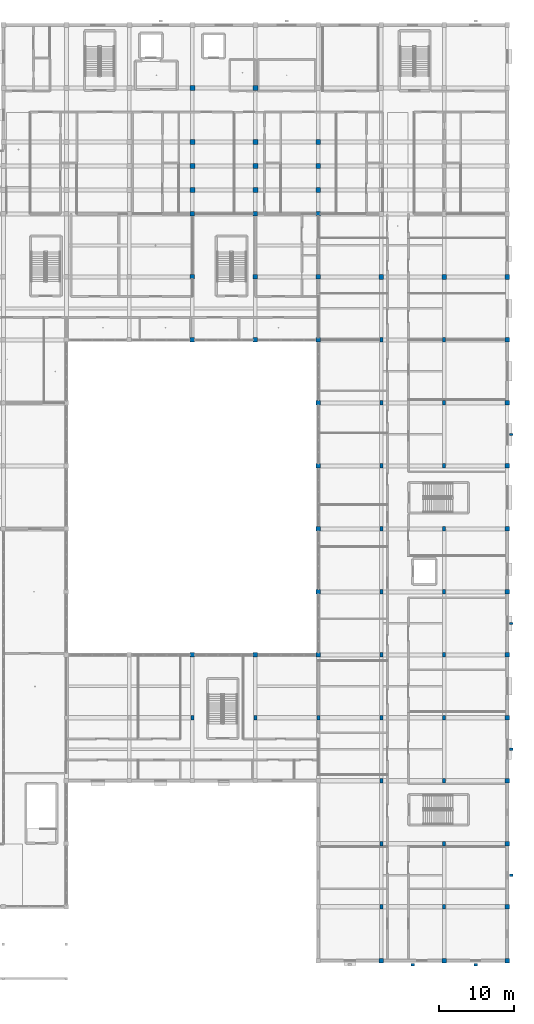
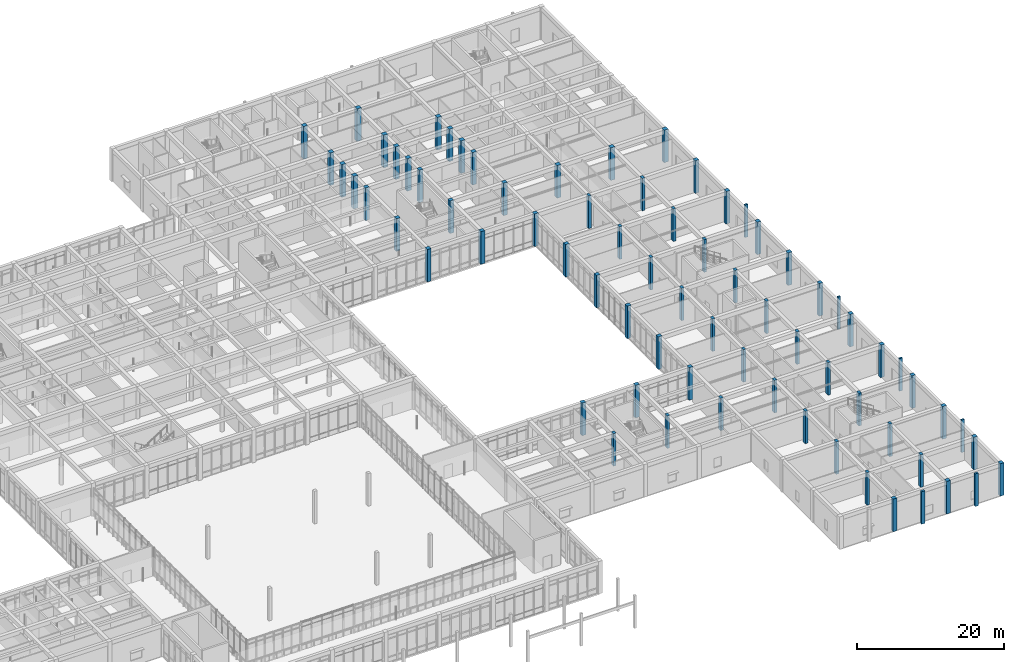
# One storey, part 5 of 157: 72 columns.
"""IFC4 building model written with IfcOpenShell, lengths in metres."""

import ifcopenshell
import ifcopenshell.guid

model = None  # the IFC model being written
_history = None  # IfcOwnerHistory: only IFC2X3 demands one
_inside = {}  # id of a spatial element -> (the spatial element, [elements in it])
_under = {}  # id of a project, library or spatial element -> (it, [spatial elements below it])
_declared = {}  # id of a project -> (the project, [libraries it declares])
_typed = {}  # id of a type object -> (the type object, [elements of that type])
_made_of = {}  # id of a material, layer set ... -> (it, [elements and type objects made of it])


def new_model(schema):
    """Start an empty IFC model of exactly this schema.

    Asked for "IFC4X3", IfcOpenShell would pick the latest addendum, in which some entities
    have other attributes; the version numbers below select the first issue.
    IFC2X3 requires an IfcOwnerHistory on every rooted entity: one is made here for all.
    """
    global model, _history
    if schema == "IFC4X3":
        model = ifcopenshell.file(schema_version=(4, 3, 0, 0))
    else:
        model = ifcopenshell.file(schema=schema)
    _inside.clear()
    _under.clear()
    _declared.clear()
    _typed.clear()
    _made_of.clear()
    _history = None
    if model.schema == "IFC2X3":
        org = make("IfcOrganization", Name="unknown")
        user = make(
            "IfcPersonAndOrganization",
            ThePerson=make("IfcPerson", FamilyName="unknown"),
            TheOrganization=org,
        )
        app = make(
            "IfcApplication",
            ApplicationDeveloper=org,
            Version="unknown",
            ApplicationFullName="unknown",
            ApplicationIdentifier="unknown",
        )
        _history = make(
            "IfcOwnerHistory",
            OwningUser=user,
            OwningApplication=app,
            ChangeAction="ADDED",
            CreationDate=0,
        )
    return model


def make(cls, **values):
    """One entity of the class cls with the attributes given. An attribute that is None is left unset."""
    return model.create_entity(
        cls, **{name: value for name, value in values.items() if value is not None}
    )


def rooted(cls, **values):
    """An entity with a GlobalId (a new one), such as an element, a storey or a relation."""
    return make(cls, GlobalId=ifcopenshell.guid.new(), OwnerHistory=_history, **values)


def si_unit(unit_type, name, prefix=None):
    """IfcSIUnit, for example si_unit("LENGTHUNIT", "METRE", prefix="MILLI")."""
    return make("IfcSIUnit", UnitType=unit_type, Prefix=prefix, Name=name)


def assignment(units):
    """IfcUnitAssignment: the units of a project."""
    return None if units is None else make("IfcUnitAssignment", Units=units)


def point(xyz):
    """IfcCartesianPoint."""
    return None if xyz is None else make("IfcCartesianPoint", Coordinates=xyz)


def direction(xyz):
    """IfcDirection."""
    return None if xyz is None else make("IfcDirection", DirectionRatios=xyz)


def frame(location, z_axis=None, x_axis=None):
    """IfcAxis2Placement3D, a coordinate frame: its origin and axes. An axis left out is left unset."""
    return make(
        "IfcAxis2Placement3D",
        Location=point(location),
        Axis=direction(z_axis),
        RefDirection=direction(x_axis),
    )


def frame_2d(location, x_axis=None):
    """IfcAxis2Placement2D, a coordinate frame in the plane: its origin and x axis."""
    return make(
        "IfcAxis2Placement2D", Location=point(location), RefDirection=direction(x_axis)
    )


def origin():
    """The frame at (0, 0, 0) with its axes left unset."""
    return frame((0.0, 0.0, 0.0))


def origin_2d():
    """The frame at (0, 0) in the plane with its x axis left unset."""
    return frame_2d((0.0, 0.0))


def place(relative_to, where):
    """IfcLocalPlacement: puts the frame where relative to a parent placement (None: the world)."""
    return make(
        "IfcLocalPlacement", PlacementRelTo=relative_to, RelativePlacement=where
    )


def context(
    kind, dimensions, precision=None, world=None, true_north=None, identifier=None
):
    """IfcGeometricRepresentationContext, for example the 3D "Model" context."""
    return make(
        "IfcGeometricRepresentationContext",
        ContextIdentifier=identifier,
        ContextType=kind,
        CoordinateSpaceDimension=dimensions,
        Precision=precision,
        WorldCoordinateSystem=world,
        TrueNorth=true_north,
    )


def subcontext(parent, identifier, kind, view, scale=None):
    """IfcGeometricRepresentationSubContext, for example "Body" below "Model"."""
    return make(
        "IfcGeometricRepresentationSubContext",
        ContextIdentifier=identifier,
        ContextType=kind,
        ParentContext=parent,
        TargetScale=scale,
        TargetView=view,
    )


def project(units=None, contexts=None):
    """IfcProject with its units and contexts."""
    return rooted(
        "IfcProject",
        Name="project",
        RepresentationContexts=contexts,
        UnitsInContext=assignment(units),
    )


def spatial(cls, under=None, at=None, **own):
    """A site, building, storey or space (cls), placed at a placement, below another one or the project."""
    s = rooted(cls, ObjectPlacement=at, **own)
    if under is not None:
        _under.setdefault(under.id(), (under, []))[1].append(s)
    return s


def profile(cls, at=None, kind="AREA", **sizes):
    """A parametric profile (cls). Its sizes go by their IFC names, for example OverallWidth=200.0."""
    return make(cls, ProfileType=kind, Position=at, **sizes)


def rectangle(**sizes):
    """IfcRectangleProfileDef."""
    return profile("IfcRectangleProfileDef", **sizes)


def extrude(swept, where, along, depth):
    """IfcExtrudedAreaSolid: the profile swept, set in the frame where, extruded along a direction by depth."""
    return make(
        "IfcExtrudedAreaSolid",
        SweptArea=swept,
        Position=where,
        ExtrudedDirection=direction(along),
        Depth=depth,
    )


def shape(context_of_items, identifier, shape_type, items):
    """IfcShapeRepresentation: the items that make up one representation, for example the "Body"."""
    return make(
        "IfcShapeRepresentation",
        ContextOfItems=context_of_items,
        RepresentationIdentifier=identifier,
        RepresentationType=shape_type,
        Items=items,
    )


def material(Name=None, Category=None):
    """IfcMaterial."""
    return make("IfcMaterial", Name=Name, Category=Category)


def material_profile(
    of_material, cross_section, Name=None, Category=None, Priority=None
):
    """IfcMaterialProfile: a cross section and its material."""
    return make(
        "IfcMaterialProfile",
        Name=Name,
        Material=of_material,
        Profile=cross_section,
        Priority=Priority,
        Category=Category,
    )


def profile_set(profiles, Name=None, composite=None):
    """IfcMaterialProfileSet."""
    return make(
        "IfcMaterialProfileSet",
        Name=Name,
        MaterialProfiles=profiles,
        CompositeProfile=composite,
    )


def made_of(thing, what):
    """Note that an element or type object is made of a material, layer set ...; save() writes the relation."""
    if what is not None:
        _made_of.setdefault(what.id(), (what, []))[1].append(thing)
    return thing


def type_object(cls, material=None, **own):
    """A type object (cls), such as IfcWallType, which elements share."""
    return made_of(rooted(cls, **own), material)


def element(
    cls,
    number,
    at=None,
    inside=None,
    cuts=None,
    type_object=None,
    material=None,
    context=None,
    identifier="Body",
    shape_type=None,
    held_by="IfcProductDefinitionShape",
    body=None,
    shapes=None,
    **own,
):
    """One element of the class cls, such as IfcWall. Its Tag is "e" and its number.

    at: its placement. inside: the storey or other place that contains it. cuts: it is an
    opening in that element (IfcRelVoidsElement). A single representation is given by context,
    identifier, shape_type and body (its items); several are given by shapes. held_by: the class
    of the entity that holds the representations. save() writes the other relations.
    """
    e = rooted(cls, Tag="e%d" % number, ObjectPlacement=at, **own)
    if body is not None:
        shapes = [shape(context, identifier, shape_type, body)]
    if shapes is not None:
        e.Representation = make(held_by, Representations=shapes)
    if inside is not None:
        _inside.setdefault(inside.id(), (inside, []))[1].append(e)
    if cuts is not None:
        rooted(
            "IfcRelVoidsElement", RelatingBuildingElement=cuts, RelatedOpeningElement=e
        )
    if type_object is not None:
        _typed.setdefault(type_object.id(), (type_object, []))[1].append(e)
    return made_of(e, material)


def aggregate(whole, parts):
    """IfcRelAggregates: a whole, such as a stair, and the parts it consists of."""
    return rooted("IfcRelAggregates", RelatingObject=whole, RelatedObjects=parts)


def save(model, path):
    """Write the relations noted so far, then the file.

    IfcRelAggregates (storeys below a building ...), IfcRelContainedInSpatialStructure (elements
    in a storey), IfcRelDefinesByType, IfcRelAssociatesMaterial and IfcRelDeclares: one each for
    every whole, place, type object, material and project.
    """
    for whole, parts in _under.values():
        aggregate(whole, parts)
    for where, things in _inside.values():
        rooted(
            "IfcRelContainedInSpatialStructure",
            RelatedElements=things,
            RelatingStructure=where,
        )
    for kind, things in _typed.values():
        rooted("IfcRelDefinesByType", RelatedObjects=things, RelatingType=kind)
    for what, things in _made_of.values():
        rooted("IfcRelAssociatesMaterial", RelatedObjects=things, RelatingMaterial=what)
    for by, libraries in _declared.values():
        rooted("IfcRelDeclares", RelatingContext=by, RelatedDefinitions=libraries)
    model.write(path)


model = new_model("IFC4")

# Units and contexts
model_context = context("Model", 3, precision=1e-05, world=origin(), true_north=direction((0.0, 1.0)))
body_context = subcontext(model_context, "Body", "Model", "MODEL_VIEW")
ifc_project = project(units=[si_unit("LENGTHUNIT", "METRE"), si_unit("AREAUNIT", "SQUARE_METRE"), si_unit("VOLUMEUNIT", "CUBIC_METRE"), si_unit("PLANEANGLEUNIT", "RADIAN"), si_unit("MASSUNIT", "GRAM", prefix="KILO")], contexts=[model_context])

# Site, building, storey
site_placement = place(None, origin())
site = spatial("IfcSite", under=ifc_project, at=site_placement, CompositionType="ELEMENT")
building_placement = place(site_placement, origin())
building = spatial("IfcBuilding", under=site, at=building_placement, Name="Varncliffe General Hospital", CompositionType="ELEMENT")
storey_placement = place(building_placement, frame((0.0, 0.0, 5.39990234375)))
storey = spatial("IfcBuildingStorey", under=building, at=storey_placement, Name="L01", CompositionType="ELEMENT", Elevation=5.39990234375)

# Columns
ifc_material_1 = material(Name="Concrete C40/50 (CSA A23.1 40 MPa)", Category="concrete")
ifc_material_profile_1 = material_profile(ifc_material_1, rectangle(XDim=0.64990234375, YDim=0.64990234375, at=origin_2d()), Name="RC 650x650")
ifc_profile_set_1 = profile_set([ifc_material_profile_1], Name="Concrete C40/50 (CSA A23.1 40 MPa)")
column_type_1 = type_object("IfcColumnType", Name="Column C21 (Ext RC 650x650)", PredefinedType="COLUMN", material=ifc_profile_set_1)
column_placement = place(storey_placement, frame((176.39990234375, 91.199951171875, 0.0), z_axis=(0.0, 0.0, 1.0), x_axis=(1.0, 0.0, 0.0)))
element("IfcColumn", 1, at=column_placement, inside=storey, type_object=column_type_1, Name="L01 Column C21", PredefinedType="COLUMN", context=body_context, shape_type="SweptSolid", body=[
    extrude(rectangle(XDim=0.64990234375, YDim=0.64990234375, at=origin_2d()), origin(), (0.0, 0.0, 1.0), 5.400146484375),
])
ifc_material_profile_2 = material_profile(ifc_material_1, rectangle(XDim=0.60009765625, YDim=0.60009765625, at=origin_2d()), Name="RC 600x600")
ifc_profile_set_2 = profile_set([ifc_material_profile_2], Name="Concrete C40/50 (CSA A23.1 40 MPa)")
column_type_2 = type_object("IfcColumnType", Name="Column C27 (Ext RC 600x600)", PredefinedType="COLUMN", material=ifc_profile_set_2)
for number, where, z_axis, x_axis, name in (
    (2, (134.39990234375, 40.800048828125, 0.0), (0.0, 0.0, 1.0), (1.0, 0.0, 0.0), "L01 Column C27"),
    (3, (134.39990234375, 82.800048828125, 0.0), (0.0, 0.0, 1.0), (1.0, 0.0, 0.0), "L01 Column C27"),
    (4, (142.800048828125, 40.800048828125, 0.0), (0.0, 0.0, 1.0), (1.0, 0.0, 0.0), "L01 Column C27"),
    (5, (142.800048828125, 82.800048828125, 0.0), (0.0, 0.0, 1.0), (1.0, 0.0, 0.0), "L01 Column C27"),
    (6, (151.199951171875, 40.800048828125, 0.0), (0.0, 0.0, 1.0), (1.0, 0.0, 0.0), "L01 Column C27"),
    (7, (151.199951171875, 49.199951171875, 0.0), (0.0, 0.0, 1.0), (1.0, 0.0, 0.0), "L01 Column C27"),
    (8, (151.199951171875, 57.60009765625, 0.0), (0.0, 0.0, 1.0), (1.0, 0.0, 0.0), "L01 Column C27"),
    (9, (151.199951171875, 66.0, 0.0), (0.0, 0.0, 1.0), (1.0, 0.0, 0.0), "L01 Column C27"),
    (10, (151.199951171875, 74.39990234375, 0.0), (0.0, 0.0, 1.0), (1.0, 0.0, 0.0), "L01 Column C27"),
    (11, (151.199951171875, 82.800048828125, 0.0), (0.0, 0.0, 1.0), (1.0, 0.0, 0.0), "L01 Column C27"),
    (12, (159.60009765625, 0.0, 0.0), (0.0, 0.0, 1.0), (1.0, 0.0, 0.0), "L01 Column C27"),
    (13, (168.0, 0.0, 0.0), (0.0, 0.0, 1.0), (1.0, 0.0, 0.0), "L01 Column C27"),
    (14, (176.39990234375, 0.0, 0.0), (0.0, 0.0, 1.0), (1.0, 0.0, 0.0), "L01 Column C27"),
    (15, (176.39990234375, 7.199951171875, 0.0), (0.0, 0.0, 1.0), (1.0, 0.0, 0.0), "L01 Column C27"),
    (16, (176.39990234375, 15.60009765625, 0.0), (0.0, 0.0, 1.0), (1.0, 0.0, 0.0), "L01 Column C27"),
    (17, (176.39990234375, 24.0, 0.0), (0.0, 0.0, 1.0), (1.0, 0.0, 0.0), "L01 Column C27"),
    (18, (176.39990234375, 32.39990234375, 0.0), (0.0, 0.0, 1.0), (1.0, 0.0, 0.0), "L01 Column C27"),
    (19, (176.39990234375, 40.800048828125, 0.0), (0.0, 0.0, 1.0), (1.0, 0.0, 0.0), "L01 Column C27"),
    (20, (176.39990234375, 49.199951171875, 0.0), (0.0, 0.0, 1.0), (1.0, 0.0, 0.0), "L01 Column C27"),
    (21, (176.39990234375, 57.60009765625, 0.0), (0.0, 0.0, 1.0), (1.0, 0.0, 0.0), "L01 Column C27"),
    (22, (176.39990234375, 66.0, 0.0), (0.0, 0.0, 1.0), (1.0, 0.0, 0.0), "L01 Column C27"),
    (23, (176.39990234375, 74.39990234375, 0.0), (0.0, 0.0, 1.0), (1.0, 0.0, 0.0), "L01 Column C27"),
    (24, (176.39990234375, 82.800048828125, 0.0), (0.0, 0.0, 1.0), (1.0, 0.0, 0.0), "L01 Column C27"),
):
    element("IfcColumn", number, at=place(storey_placement, frame(where, z_axis=z_axis, x_axis=x_axis)), inside=storey, type_object=column_type_2, Name=name, PredefinedType="COLUMN", context=body_context, shape_type="SweptSolid", body=[
        extrude(rectangle(XDim=0.60009765625, YDim=0.60009765625, at=origin_2d()), origin(), (0.0, 0.0, 1.0), 5.400146484375),
    ])
ifc_material_profile_3 = material_profile(ifc_material_1, rectangle(XDim=0.64990234375, YDim=0.64990234375, at=origin_2d()), Name="RC 650x650")
ifc_profile_set_3 = profile_set([ifc_material_profile_3], Name="Concrete C40/50 (CSA A23.1 40 MPa)")
column_type_3 = type_object("IfcColumnType", Name="Column C29 (Int RC 650x650)", PredefinedType="COLUMN", material=ifc_profile_set_3)
for number, where, z_axis, x_axis, name in (
    (25, (134.39990234375, 102.800048828125, 0.0), (0.0, 0.0, 1.0), (1.0, 0.0, 0.0), "L01 Column C29"),
    (26, (134.39990234375, 106.0, 0.0), (0.0, 0.0, 1.0), (1.0, 0.0, 0.0), "L01 Column C29"),
    (27, (134.39990234375, 109.199951171875, 0.0), (0.0, 0.0, 1.0), (1.0, 0.0, 0.0), "L01 Column C29"),
    (28, (134.39990234375, 116.39990234375, 0.0), (0.0, 0.0, 1.0), (1.0, 0.0, 0.0), "L01 Column C29"),
    (29, (142.800048828125, 102.800048828125, 0.0), (0.0, 0.0, 1.0), (1.0, 0.0, 0.0), "L01 Column C29"),
    (30, (142.800048828125, 106.0, 0.0), (0.0, 0.0, 1.0), (1.0, 0.0, 0.0), "L01 Column C29"),
    (31, (142.800048828125, 109.199951171875, 0.0), (0.0, 0.0, 1.0), (1.0, 0.0, 0.0), "L01 Column C29"),
    (32, (142.800048828125, 116.39990234375, 0.0), (0.0, 0.0, 1.0), (1.0, 0.0, 0.0), "L01 Column C29"),
    (33, (151.199951171875, 102.800048828125, 0.0), (0.0, 0.0, 1.0), (1.0, 0.0, 0.0), "L01 Column C29"),
    (34, (151.199951171875, 106.0, 0.0), (0.0, 0.0, 1.0), (1.0, 0.0, 0.0), "L01 Column C29"),
    (35, (151.199951171875, 109.199951171875, 0.0), (0.0, 0.0, 1.0), (1.0, 0.0, 0.0), "L01 Column C29"),
    (36, (159.60009765625, 91.199951171875, 0.0), (0.0, 0.0, 1.0), (1.0, 0.0, 0.0), "L01 Column C29"),
    (37, (168.0, 91.199951171875, 0.0), (0.0, 0.0, 1.0), (1.0, 0.0, 0.0), "L01 Column C29"),
):
    element("IfcColumn", number, at=place(storey_placement, frame(where, z_axis=z_axis, x_axis=x_axis)), inside=storey, type_object=column_type_3, Name=name, PredefinedType="COLUMN", context=body_context, shape_type="SweptSolid", body=[
        extrude(rectangle(XDim=0.64990234375, YDim=0.64990234375, at=origin_2d()), origin(), (0.0, 0.0, 1.0), 5.400146484375),
    ])
ifc_material_profile_4 = material_profile(ifc_material_1, rectangle(XDim=0.39990234375, YDim=0.60009765625, at=origin_2d()), Name="RC 400x600")
ifc_profile_set_4 = profile_set([ifc_material_profile_4], Name="Concrete C40/50 (CSA A23.1 40 MPa)")
column_type_4 = type_object("IfcColumnType", Name="Column C58 (Int RC 400x600)", PredefinedType="COLUMN", material=ifc_profile_set_4)
for number, where, z_axis, x_axis, name in (
    (38, (134.39990234375, 32.39990234375, 0.0), (0.0, 0.0, 1.0), (1.0, 0.0, 0.0), "L01 Column C58"),
    (39, (142.800048828125, 32.39990234375, 0.0), (0.0, 0.0, 1.0), (1.0, 0.0, 0.0), "L01 Column C58"),
    (40, (151.199951171875, 32.39990234375, 0.0), (0.0, 0.0, 1.0), (1.0, 0.0, 0.0), "L01 Column C58"),
    (41, (159.60009765625, 7.199951171875, 0.0), (0.0, 0.0, 1.0), (1.0, 0.0, 0.0), "L01 Column C58"),
    (42, (159.60009765625, 15.60009765625, 0.0), (0.0, 0.0, 1.0), (1.0, 0.0, 0.0), "L01 Column C58"),
    (43, (159.60009765625, 24.0, 0.0), (0.0, 0.0, 1.0), (1.0, 0.0, 0.0), "L01 Column C58"),
    (44, (159.60009765625, 32.39990234375, 0.0), (0.0, 0.0, 1.0), (1.0, 0.0, 0.0), "L01 Column C58"),
    (45, (159.60009765625, 40.800048828125, 0.0), (0.0, 0.0, 1.0), (1.0, 0.0, 0.0), "L01 Column C58"),
    (46, (159.60009765625, 49.199951171875, 0.0), (0.0, 0.0, 1.0), (1.0, 0.0, 0.0), "L01 Column C58"),
    (47, (159.60009765625, 57.60009765625, 0.0), (0.0, 0.0, 1.0), (1.0, 0.0, 0.0), "L01 Column C58"),
    (48, (159.60009765625, 66.0, 0.0), (0.0, 0.0, 1.0), (1.0, 0.0, 0.0), "L01 Column C58"),
    (49, (159.60009765625, 74.39990234375, 0.0), (0.0, 0.0, 1.0), (1.0, 0.0, 0.0), "L01 Column C58"),
    (50, (159.60009765625, 82.800048828125, 0.0), (0.0, 0.0, 1.0), (1.0, 0.0, 0.0), "L01 Column C58"),
    (51, (168.0, 7.199951171875, 0.0), (0.0, 0.0, 1.0), (1.0, 0.0, 0.0), "L01 Column C58"),
    (52, (168.0, 15.60009765625, 0.0), (0.0, 0.0, 1.0), (1.0, 0.0, 0.0), "L01 Column C58"),
    (53, (168.0, 24.0, 0.0), (0.0, 0.0, 1.0), (1.0, 0.0, 0.0), "L01 Column C58"),
    (54, (168.0, 32.39990234375, 0.0), (0.0, 0.0, 1.0), (1.0, 0.0, 0.0), "L01 Column C58"),
    (55, (168.0, 40.800048828125, 0.0), (0.0, 0.0, 1.0), (1.0, 0.0, 0.0), "L01 Column C58"),
    (56, (168.0, 49.199951171875, 0.0), (0.0, 0.0, 1.0), (1.0, 0.0, 0.0), "L01 Column C58"),
    (57, (168.0, 57.60009765625, 0.0), (0.0, 0.0, 1.0), (1.0, 0.0, 0.0), "L01 Column C58"),
    (58, (168.0, 66.0, 0.0), (0.0, 0.0, 1.0), (1.0, 0.0, 0.0), "L01 Column C58"),
    (59, (168.0, 74.39990234375, 0.0), (0.0, 0.0, 1.0), (1.0, 0.0, 0.0), "L01 Column C58"),
    (60, (168.0, 82.800048828125, 0.0), (0.0, 0.0, 1.0), (1.0, 0.0, 0.0), "L01 Column C58"),
):
    element("IfcColumn", number, at=place(storey_placement, frame(where, z_axis=z_axis, x_axis=x_axis)), inside=storey, type_object=column_type_4, Name=name, PredefinedType="COLUMN", context=body_context, shape_type="SweptSolid", body=[
        extrude(rectangle(XDim=0.39990234375, YDim=0.60009765625, at=origin_2d()), origin(), (0.0, 0.0, 1.0), 5.400146484375),
    ])
ifc_material_profile_5 = material_profile(ifc_material_1, rectangle(XDim=0.60009765625, YDim=0.60009765625, at=origin_2d()), Name="RC 600x600")
ifc_profile_set_5 = profile_set([ifc_material_profile_5], Name="Concrete C40/50 (CSA A23.1 40 MPa)")
column_type_5 = type_object("IfcColumnType", Name="Column C82 (Int RC 600x600)", PredefinedType="COLUMN", material=ifc_profile_set_5)
for number, where, z_axis, x_axis, name in (
    (61, (134.39990234375, 91.199951171875, 0.0), (0.0, 0.0, 1.0), (1.0, 0.0, 0.0), "L01 Column C82"),
    (62, (134.39990234375, 99.60009765625, 0.0), (0.0, 0.0, 1.0), (1.0, 0.0, 0.0), "L01 Column C82"),
    (63, (142.800048828125, 91.199951171875, 0.0), (0.0, 0.0, 1.0), (1.0, 0.0, 0.0), "L01 Column C82"),
    (64, (142.800048828125, 99.60009765625, 0.0), (0.0, 0.0, 1.0), (1.0, 0.0, 0.0), "L01 Column C82"),
    (65, (151.199951171875, 91.199951171875, 0.0), (0.0, 0.0, 1.0), (1.0, 0.0, 0.0), "L01 Column C82"),
    (66, (151.199951171875, 99.60009765625, 0.0), (0.0, 0.0, 1.0), (1.0, 0.0, 0.0), "L01 Column C82"),
):
    element("IfcColumn", number, at=place(storey_placement, frame(where, z_axis=z_axis, x_axis=x_axis)), inside=storey, type_object=column_type_5, Name=name, PredefinedType="COLUMN", context=body_context, shape_type="SweptSolid", body=[
        extrude(rectangle(XDim=0.60009765625, YDim=0.60009765625, at=origin_2d()), origin(), (0.0, 0.0, 1.0), 5.400146484375),
    ])
ifc_material_2 = material(Name="Precast concrete C40/50", Category="concrete")
ifc_material_profile_6 = material_profile(ifc_material_2, rectangle(XDim=0.5, YDim=0.320068359375, at=origin_2d()), Name="PIL 500x320")
ifc_profile_set_6 = profile_set([ifc_material_profile_6], Name="Precast concrete C40/50")
column_type_6 = type_object("IfcColumnType", Name="Pilaster PL14 (PIL 500x320)", PredefinedType="PILASTER", material=ifc_profile_set_6)
for number, where, z_axis, x_axis, name in (
    (67, (163.800048828125, -0.550048828125, 0.0), (0.0, 0.0, 1.0), (1.0, 0.0, 0.0), "L01 Facade Pilaster PL14-2"),
    (68, (172.199951171875, -0.550048828125, 0.0), (0.0, 0.0, 1.0), (1.0, 0.0, 0.0), "L01 Facade Pilaster PL14-3"),
):
    element("IfcColumn", number, at=place(storey_placement, frame(where, z_axis=z_axis, x_axis=x_axis)), inside=storey, type_object=column_type_6, Name=name, PredefinedType="PILASTER", context=body_context, shape_type="SweptSolid", body=[
        extrude(rectangle(XDim=0.5, YDim=0.320068359375, at=origin_2d()), origin(), (0.0, 0.0, 1.0), 5.400146484375),
    ])
ifc_material_profile_7 = material_profile(ifc_material_2, rectangle(XDim=0.449951171875, YDim=0.280029296875, at=origin_2d()), Name="PIL 450x280")
ifc_profile_set_7 = profile_set([ifc_material_profile_7], Name="Precast concrete C40/50")
column_type_7 = type_object("IfcColumnType", Name="Pilaster PL64 (PIL 450x280)", PredefinedType="PILASTER", material=ifc_profile_set_7)
for number, where, z_axis, x_axis, name in (
    (69, (176.949951171875, 11.39990234375, 0.0), (0.0, 0.0, 1.0), (1.0, 0.0, 0.0), "L01 Facade Pilaster PL64-8"),
    (70, (176.949951171875, 28.199951171875, 0.0), (0.0, 0.0, 1.0), (1.0, 0.0, 0.0), "L01 Facade Pilaster PL64-9"),
    (71, (176.949951171875, 45.0, 0.0), (0.0, 0.0, 1.0), (1.0, 0.0, 0.0), "L01 Facade Pilaster PL64-10"),
    (72, (176.949951171875, 70.199951171875, 0.0), (0.0, 0.0, 1.0), (1.0, 0.0, 0.0), "L01 Facade Pilaster PL64-11"),
):
    element("IfcColumn", number, at=place(storey_placement, frame(where, z_axis=z_axis, x_axis=x_axis)), inside=storey, type_object=column_type_7, Name=name, PredefinedType="PILASTER", context=body_context, shape_type="SweptSolid", body=[
        extrude(rectangle(XDim=0.449951171875, YDim=0.280029296875, at=origin_2d()), origin(), (0.0, 0.0, 1.0), 5.400146484375),
    ])

save(model, "model.ifc")
